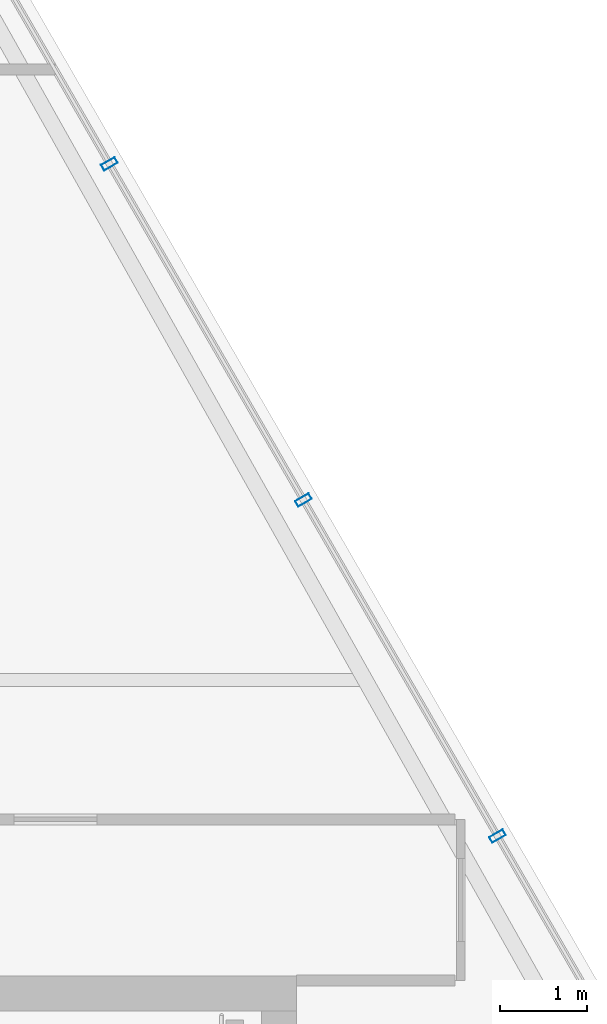
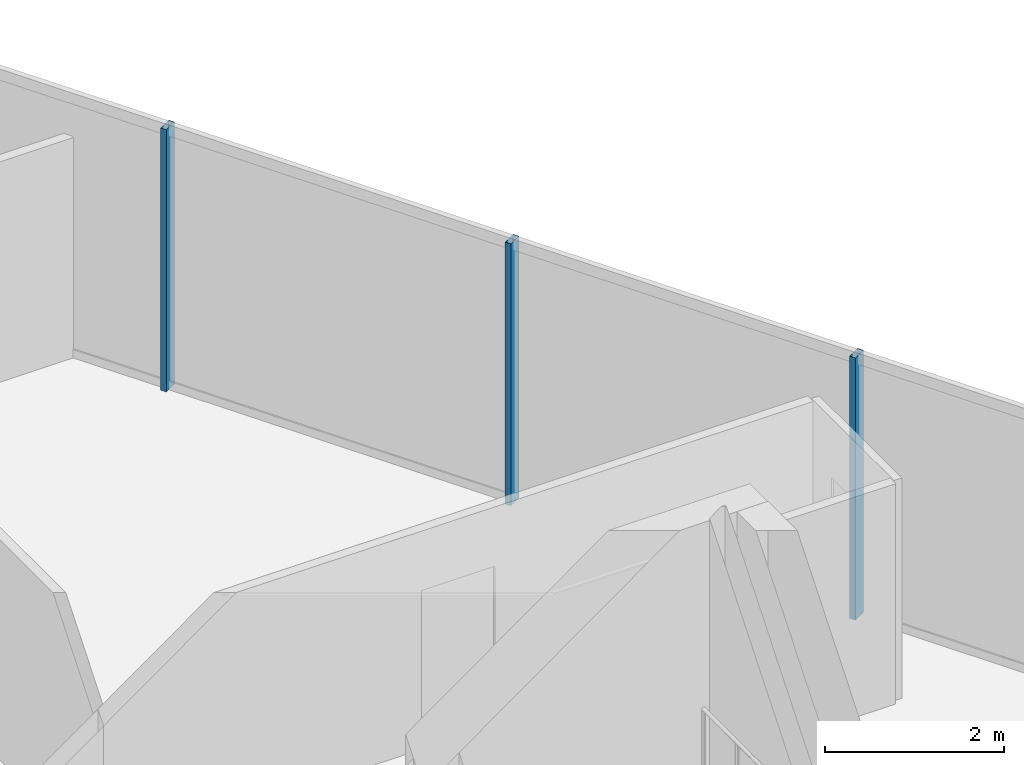
# One storey, part 22 of 32: 3 members, 1 element without a shape of its own.
"""IFC4 building model written with IfcOpenShell, lengths in metres."""

from ifc_helpers import new_model, si_unit, direction, frame, origin, origin_2d, place, context, subcontext, project, spatial, hollow_rectangle, extrude, material, layer, layer_set, material_profile, profile_set, type_object, element, aggregate, save


model = new_model("IFC4")

# Units and contexts
model_context = context("Model", 3, precision=1e-05, world=origin(), true_north=direction((0.0, 1.0)))
body_context = subcontext(model_context, "Body", "Model", "MODEL_VIEW")
ifc_project = project(units=[si_unit("LENGTHUNIT", "METRE"), si_unit("AREAUNIT", "SQUARE_METRE"), si_unit("VOLUMEUNIT", "CUBIC_METRE"), si_unit("PLANEANGLEUNIT", "RADIAN"), si_unit("MASSUNIT", "GRAM", prefix="KILO")], contexts=[model_context])

# Site, building, storey
site_placement = place(None, origin())
site = spatial("IfcSite", under=ifc_project, at=site_placement, CompositionType="ELEMENT")
building_placement = place(site_placement, origin())
building = spatial("IfcBuilding", under=site, at=building_placement, Name="Ndaravel Arena Tower", CompositionType="ELEMENT")
storey_placement = place(building_placement, frame((0.0, 0.0, 290.89990234375)))
storey = spatial("IfcBuildingStorey", under=building, at=storey_placement, Name="L71", CompositionType="ELEMENT", Elevation=290.89990234375)

# Curtain wall, members
ifc_material_1 = material(Name="Aluminium", Category="aluminium")
ifc_layer = layer(ifc_material_1, 0.179931640625)
ifc_layer_set = layer_set([ifc_layer], Name="Aluminium")
curtain_wall_type = type_object("IfcCurtainWallType", Name="CW-SYS-03", PredefinedType="NOTDEFINED", material=ifc_layer_set)
curtain_wall_placement = place(storey_placement, origin())
curtain_wall = element("IfcCurtainWall", 1, at=curtain_wall_placement, inside=storey, type_object=curtain_wall_type, Name="L71 Faceted Crystal Curtain Wall CW-L71-E03", PredefinedType="NOTDEFINED")
ifc_material_2 = material(Name="Aluminium", Category="aluminium")
ifc_material_profile = material_profile(ifc_material_2, hollow_rectangle(XDim=0.074951171875, YDim=0.179931640625, WallThickness=0.00390625, at=origin_2d()), Name="CW MULLION 75x180x4")
ifc_profile_set = profile_set([ifc_material_profile], Name="Aluminium")
member_type = type_object("IfcMemberType", Name="MEM-CW-MUL180", PredefinedType="MULLION", material=ifc_profile_set)
member_1_placement = place(storey_placement, frame((59.855224609375, 16.807373046875, 0.0), z_axis=(0.0, 0.0, 1.0), x_axis=(-0.5, 0.866025403784, 0.0)))
member_1 = element("IfcMember", 2, at=member_1_placement, type_object=member_type, Name="CW-L71-E03 Mullion 02", PredefinedType="MULLION", context=body_context, shape_type="SweptSolid", body=[
    extrude(hollow_rectangle(XDim=0.074951171875, YDim=0.179931640625, WallThickness=0.00390625, at=origin_2d()), origin(), (0.0, 0.0, 1.0), 3.580078125),
])
member_2_placement = place(storey_placement, frame((57.629150390625, 20.6630859375, 0.0), z_axis=(0.0, 0.0, 1.0), x_axis=(-0.5, 0.866025403784, 0.0)))
member_2 = element("IfcMember", 3, at=member_2_placement, type_object=member_type, Name="CW-L71-E03 Mullion 03", PredefinedType="MULLION", context=body_context, shape_type="SweptSolid", body=[
    extrude(hollow_rectangle(XDim=0.074951171875, YDim=0.179931640625, WallThickness=0.00390625, at=origin_2d()), origin(), (0.0, 0.0, 1.0), 3.580078125),
])
member_3_placement = place(storey_placement, frame((55.403076171875, 24.518798828125, 0.0), z_axis=(0.0, 0.0, 1.0), x_axis=(-0.5, 0.866025403784, 0.0)))
member_3 = element("IfcMember", 4, at=member_3_placement, type_object=member_type, Name="CW-L71-E03 Mullion 04", PredefinedType="MULLION", context=body_context, shape_type="SweptSolid", body=[
    extrude(hollow_rectangle(XDim=0.074951171875, YDim=0.179931640625, WallThickness=0.00390625, at=origin_2d()), origin(), (0.0, 0.0, 1.0), 3.580078125),
])
aggregate(curtain_wall, [member_1, member_2, member_3])

save(model, "model.ifc")
